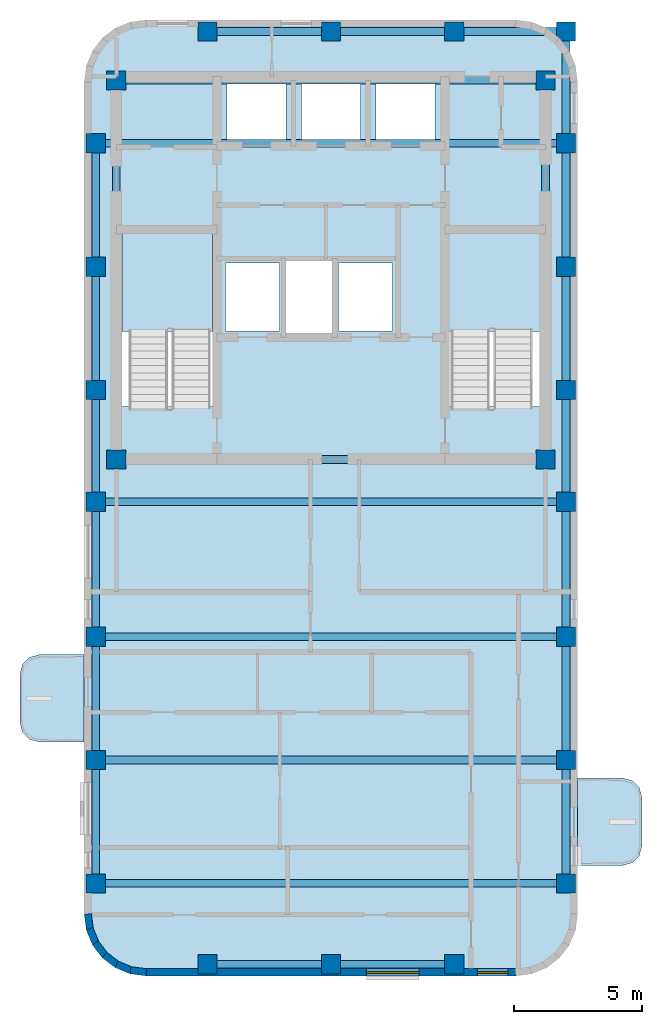
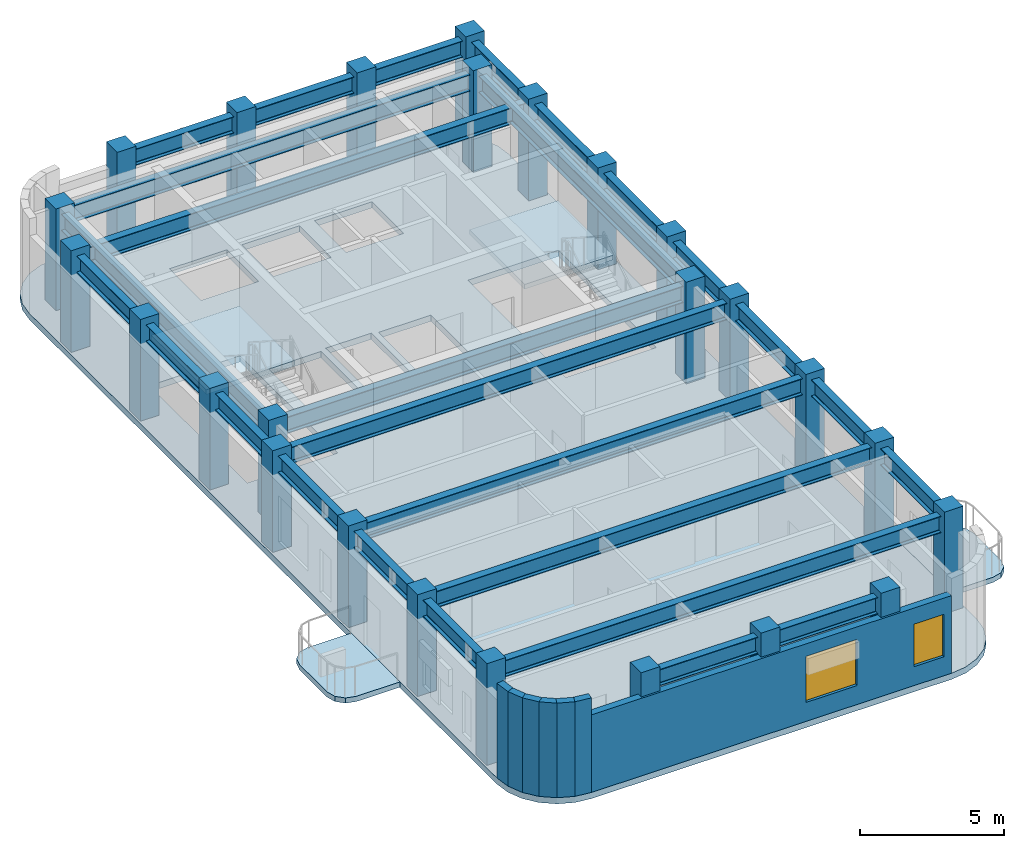
# One storey, part 1 of 5: 27 beams, 25 columns, 7 walls, 5 slabs, 2 windows, 2 openings, 2 elements without a shape of their own.
"""IFC4 building model written with IfcOpenShell, lengths in metres."""

import ifcopenshell
import ifcopenshell.guid

model = None  # the IFC model being written
_history = None  # IfcOwnerHistory: only IFC2X3 demands one
_inside = {}  # id of a spatial element -> (the spatial element, [elements in it])
_under = {}  # id of a project, library or spatial element -> (it, [spatial elements below it])
_declared = {}  # id of a project -> (the project, [libraries it declares])
_typed = {}  # id of a type object -> (the type object, [elements of that type])
_made_of = {}  # id of a material, layer set ... -> (it, [elements and type objects made of it])


def new_model(schema):
    """Start an empty IFC model of exactly this schema.

    Asked for "IFC4X3", IfcOpenShell would pick the latest addendum, in which some entities
    have other attributes; the version numbers below select the first issue.
    IFC2X3 requires an IfcOwnerHistory on every rooted entity: one is made here for all.
    """
    global model, _history
    if schema == "IFC4X3":
        model = ifcopenshell.file(schema_version=(4, 3, 0, 0))
    else:
        model = ifcopenshell.file(schema=schema)
    _inside.clear()
    _under.clear()
    _declared.clear()
    _typed.clear()
    _made_of.clear()
    _history = None
    if model.schema == "IFC2X3":
        org = make("IfcOrganization", Name="unknown")
        user = make(
            "IfcPersonAndOrganization",
            ThePerson=make("IfcPerson", FamilyName="unknown"),
            TheOrganization=org,
        )
        app = make(
            "IfcApplication",
            ApplicationDeveloper=org,
            Version="unknown",
            ApplicationFullName="unknown",
            ApplicationIdentifier="unknown",
        )
        _history = make(
            "IfcOwnerHistory",
            OwningUser=user,
            OwningApplication=app,
            ChangeAction="ADDED",
            CreationDate=0,
        )
    return model


def make(cls, **values):
    """One entity of the class cls with the attributes given. An attribute that is None is left unset."""
    return model.create_entity(
        cls, **{name: value for name, value in values.items() if value is not None}
    )


def rooted(cls, **values):
    """An entity with a GlobalId (a new one), such as an element, a storey or a relation."""
    return make(cls, GlobalId=ifcopenshell.guid.new(), OwnerHistory=_history, **values)


def si_unit(unit_type, name, prefix=None):
    """IfcSIUnit, for example si_unit("LENGTHUNIT", "METRE", prefix="MILLI")."""
    return make("IfcSIUnit", UnitType=unit_type, Prefix=prefix, Name=name)


def assignment(units):
    """IfcUnitAssignment: the units of a project."""
    return None if units is None else make("IfcUnitAssignment", Units=units)


def point(xyz):
    """IfcCartesianPoint."""
    return None if xyz is None else make("IfcCartesianPoint", Coordinates=xyz)


def direction(xyz):
    """IfcDirection."""
    return None if xyz is None else make("IfcDirection", DirectionRatios=xyz)


def frame(location, z_axis=None, x_axis=None):
    """IfcAxis2Placement3D, a coordinate frame: its origin and axes. An axis left out is left unset."""
    return make(
        "IfcAxis2Placement3D",
        Location=point(location),
        Axis=direction(z_axis),
        RefDirection=direction(x_axis),
    )


def frame_2d(location, x_axis=None):
    """IfcAxis2Placement2D, a coordinate frame in the plane: its origin and x axis."""
    return make(
        "IfcAxis2Placement2D", Location=point(location), RefDirection=direction(x_axis)
    )


def origin():
    """The frame at (0, 0, 0) with its axes left unset."""
    return frame((0.0, 0.0, 0.0))


def origin_2d():
    """The frame at (0, 0) in the plane with its x axis left unset."""
    return frame_2d((0.0, 0.0))


def place(relative_to, where):
    """IfcLocalPlacement: puts the frame where relative to a parent placement (None: the world)."""
    return make(
        "IfcLocalPlacement", PlacementRelTo=relative_to, RelativePlacement=where
    )


def context(
    kind, dimensions, precision=None, world=None, true_north=None, identifier=None
):
    """IfcGeometricRepresentationContext, for example the 3D "Model" context."""
    return make(
        "IfcGeometricRepresentationContext",
        ContextIdentifier=identifier,
        ContextType=kind,
        CoordinateSpaceDimension=dimensions,
        Precision=precision,
        WorldCoordinateSystem=world,
        TrueNorth=true_north,
    )


def subcontext(parent, identifier, kind, view, scale=None):
    """IfcGeometricRepresentationSubContext, for example "Body" below "Model"."""
    return make(
        "IfcGeometricRepresentationSubContext",
        ContextIdentifier=identifier,
        ContextType=kind,
        ParentContext=parent,
        TargetScale=scale,
        TargetView=view,
    )


def project(units=None, contexts=None):
    """IfcProject with its units and contexts."""
    return rooted(
        "IfcProject",
        Name="project",
        RepresentationContexts=contexts,
        UnitsInContext=assignment(units),
    )


def spatial(cls, under=None, at=None, **own):
    """A site, building, storey or space (cls), placed at a placement, below another one or the project."""
    s = rooted(cls, ObjectPlacement=at, **own)
    if under is not None:
        _under.setdefault(under.id(), (under, []))[1].append(s)
    return s


def polyline(points):
    """IfcPolyline through the points."""
    return make("IfcPolyline", Points=[point(p) for p in points])


def profile(cls, at=None, kind="AREA", **sizes):
    """A parametric profile (cls). Its sizes go by their IFC names, for example OverallWidth=200.0."""
    return make(cls, ProfileType=kind, Position=at, **sizes)


def rectangle(**sizes):
    """IfcRectangleProfileDef."""
    return profile("IfcRectangleProfileDef", **sizes)


def i_section(**sizes):
    """IfcIShapeProfileDef."""
    return profile("IfcIShapeProfileDef", **sizes)


def outline(outer, holes=None, kind="AREA"):
    """IfcArbitraryClosedProfileDef: a profile drawn as a closed curve; with holes, ...WithVoids."""
    if holes is None:
        return make("IfcArbitraryClosedProfileDef", ProfileType=kind, OuterCurve=outer)
    return make(
        "IfcArbitraryProfileDefWithVoids",
        ProfileType=kind,
        OuterCurve=outer,
        InnerCurves=holes,
    )


def extrude(swept, where, along, depth):
    """IfcExtrudedAreaSolid: the profile swept, set in the frame where, extruded along a direction by depth."""
    return make(
        "IfcExtrudedAreaSolid",
        SweptArea=swept,
        Position=where,
        ExtrudedDirection=direction(along),
        Depth=depth,
    )


def shape(context_of_items, identifier, shape_type, items):
    """IfcShapeRepresentation: the items that make up one representation, for example the "Body"."""
    return make(
        "IfcShapeRepresentation",
        ContextOfItems=context_of_items,
        RepresentationIdentifier=identifier,
        RepresentationType=shape_type,
        Items=items,
    )


def material(Name=None, Category=None):
    """IfcMaterial."""
    return make("IfcMaterial", Name=Name, Category=Category)


def layer(
    of_material, thickness, ventilated=None, Name=None, Category=None, Priority=None
):
    """IfcMaterialLayer: one layer of a wall or slab, of a material (None: an air gap)."""
    return make(
        "IfcMaterialLayer",
        Material=of_material,
        LayerThickness=thickness,
        IsVentilated=ventilated,
        Name=Name,
        Category=Category,
        Priority=Priority,
    )


def layer_set(layers, Name=None):
    """IfcMaterialLayerSet."""
    return make("IfcMaterialLayerSet", MaterialLayers=layers, LayerSetName=Name)


def material_profile(
    of_material, cross_section, Name=None, Category=None, Priority=None
):
    """IfcMaterialProfile: a cross section and its material."""
    return make(
        "IfcMaterialProfile",
        Name=Name,
        Material=of_material,
        Profile=cross_section,
        Priority=Priority,
        Category=Category,
    )


def profile_set(profiles, Name=None, composite=None):
    """IfcMaterialProfileSet."""
    return make(
        "IfcMaterialProfileSet",
        Name=Name,
        MaterialProfiles=profiles,
        CompositeProfile=composite,
    )


def made_of(thing, what):
    """Note that an element or type object is made of a material, layer set ...; save() writes the relation."""
    if what is not None:
        _made_of.setdefault(what.id(), (what, []))[1].append(thing)
    return thing


def type_object(cls, material=None, **own):
    """A type object (cls), such as IfcWallType, which elements share."""
    return made_of(rooted(cls, **own), material)


def element(
    cls,
    number,
    at=None,
    inside=None,
    cuts=None,
    type_object=None,
    material=None,
    context=None,
    identifier="Body",
    shape_type=None,
    held_by="IfcProductDefinitionShape",
    body=None,
    shapes=None,
    **own,
):
    """One element of the class cls, such as IfcWall. Its Tag is "e" and its number.

    at: its placement. inside: the storey or other place that contains it. cuts: it is an
    opening in that element (IfcRelVoidsElement). A single representation is given by context,
    identifier, shape_type and body (its items); several are given by shapes. held_by: the class
    of the entity that holds the representations. save() writes the other relations.
    """
    e = rooted(cls, Tag="e%d" % number, ObjectPlacement=at, **own)
    if body is not None:
        shapes = [shape(context, identifier, shape_type, body)]
    if shapes is not None:
        e.Representation = make(held_by, Representations=shapes)
    if inside is not None:
        _inside.setdefault(inside.id(), (inside, []))[1].append(e)
    if cuts is not None:
        rooted(
            "IfcRelVoidsElement", RelatingBuildingElement=cuts, RelatedOpeningElement=e
        )
    if type_object is not None:
        _typed.setdefault(type_object.id(), (type_object, []))[1].append(e)
    return made_of(e, material)


def fill(opening, filler):
    """IfcRelFillsElement: the door or window that sits in an opening."""
    return rooted(
        "IfcRelFillsElement",
        RelatingOpeningElement=opening,
        RelatedBuildingElement=filler,
    )


def aggregate(whole, parts):
    """IfcRelAggregates: a whole, such as a stair, and the parts it consists of."""
    return rooted("IfcRelAggregates", RelatingObject=whole, RelatedObjects=parts)


def save(model, path):
    """Write the relations noted so far, then the file.

    IfcRelAggregates (storeys below a building ...), IfcRelContainedInSpatialStructure (elements
    in a storey), IfcRelDefinesByType, IfcRelAssociatesMaterial and IfcRelDeclares: one each for
    every whole, place, type object, material and project.
    """
    for whole, parts in _under.values():
        aggregate(whole, parts)
    for where, things in _inside.values():
        rooted(
            "IfcRelContainedInSpatialStructure",
            RelatedElements=things,
            RelatingStructure=where,
        )
    for kind, things in _typed.values():
        rooted("IfcRelDefinesByType", RelatedObjects=things, RelatingType=kind)
    for what, things in _made_of.values():
        rooted("IfcRelAssociatesMaterial", RelatedObjects=things, RelatingMaterial=what)
    for by, libraries in _declared.values():
        rooted("IfcRelDeclares", RelatingContext=by, RelatedDefinitions=libraries)
    model.write(path)


model = new_model("IFC4")

# Units and contexts
model_context = context("Model", 3, precision=1e-05, world=origin(), true_north=direction((0.0, 1.0)))
body_context = subcontext(model_context, "Body", "Model", "MODEL_VIEW")
ifc_project = project(units=[si_unit("LENGTHUNIT", "METRE"), si_unit("AREAUNIT", "SQUARE_METRE"), si_unit("VOLUMEUNIT", "CUBIC_METRE"), si_unit("PLANEANGLEUNIT", "RADIAN"), si_unit("MASSUNIT", "GRAM", prefix="KILO")], contexts=[model_context])

# Site, building, storey
site_placement = place(None, origin())
site = spatial("IfcSite", under=ifc_project, at=site_placement, CompositionType="ELEMENT")
building_placement = place(site_placement, origin())
building = spatial("IfcBuilding", under=site, at=building_placement, Name="Orvandelia Arch Residences", CompositionType="ELEMENT")
storey_placement = place(building_placement, frame((0.0, 0.0, 287.10009765625)))
storey = spatial("IfcBuildingStorey", under=building, at=storey_placement, Name="L74", CompositionType="ELEMENT", Elevation=287.10009765625)

# Columns
ifc_material_1 = material(Name="Concrete C50/60", Category="concrete")
ifc_material_profile_1 = material_profile(ifc_material_1, rectangle(XDim=0.75, YDim=0.75, at=origin_2d()), Name="Concrete C50/60", Category="concrete")
ifc_profile_set_1 = profile_set([ifc_material_profile_1], Name="Concrete C50/60")
column_type = type_object("IfcColumnType", Name="COL-TWR-750", PredefinedType="COLUMN", material=ifc_profile_set_1)
for number, where, z_axis, x_axis, name in (
    (1, (5.25, 14.39990234375, 0.0), (0.0, 0.0, 1.0), (1.0, 0.0, 0.0), "Structural Column L74-W-W-144"),
    (2, (5.25, 19.199951171875, 0.0), (0.0, 0.0, 1.0), (1.0, 0.0, 0.0), "Structural Column L74-W-W-192"),
    (3, (5.25, 24.0, 0.0), (0.0, 0.0, 1.0), (1.0, 0.0, 0.0), "Structural Column L74-W-W-240"),
    (4, (5.25, 29.25, 0.0), (0.0, 0.0, 1.0), (1.0, 0.0, 0.0), "Structural Column L74-W-W-292"),
    (5, (5.25, 33.60009765625, 0.0), (0.0, 0.0, 1.0), (1.0, 0.0, 0.0), "Structural Column L74-W-W-336"),
    (6, (5.25, 38.39990234375, 0.0), (0.0, 0.0, 1.0), (1.0, 0.0, 0.0), "Structural Column L74-W-W-384"),
    (7, (5.25, 43.199951171875, 0.0), (0.0, 0.0, 1.0), (1.0, 0.0, 0.0), "Structural Column L74-W-W-432"),
    (8, (6.050048828125, 30.89990234375, 0.0), (0.0, 0.0, 1.0), (1.0, 0.0, 0.0), "Structural Column L74-CR-SW"),
    (9, (6.050048828125, 45.64990234375, 0.0), (0.0, 0.0, 1.0), (1.0, 0.0, 0.0), "Structural Column L74-CR-NW"),
    (10, (9.60009765625, 11.25, 0.0), (0.0, 0.0, 1.0), (1.0, 0.0, 0.0), "Structural Column L74-W-S-96"),
    (11, (9.60009765625, 47.550048828125, 0.0), (0.0, 0.0, 1.0), (1.0, 0.0, 0.0), "Structural Column L74-W-N-96"),
    (12, (14.39990234375, 11.25, 0.0), (0.0, 0.0, 1.0), (1.0, 0.0, 0.0), "Structural Column L74-W-S-144"),
    (13, (14.39990234375, 47.550048828125, 0.0), (0.0, 0.0, 1.0), (1.0, 0.0, 0.0), "Structural Column L74-W-N-144"),
    (14, (19.199951171875, 11.25, 0.0), (0.0, 0.0, 1.0), (1.0, 0.0, 0.0), "Structural Column L74-W-S-192"),
    (15, (19.199951171875, 47.550048828125, 0.0), (0.0, 0.0, 1.0), (1.0, 0.0, 0.0), "Structural Column L74-W-N-192"),
    (16, (22.75, 30.89990234375, 0.0), (0.0, 0.0, 1.0), (1.0, 0.0, 0.0), "Structural Column L74-CR-SE"),
    (17, (22.75, 45.64990234375, 0.0), (0.0, 0.0, 1.0), (1.0, 0.0, 0.0), "Structural Column L74-CR-NE"),
    (18, (23.550048828125, 14.39990234375, 0.0), (0.0, 0.0, 1.0), (1.0, 0.0, 0.0), "Structural Column L74-W-E-144"),
    (19, (23.550048828125, 19.199951171875, 0.0), (0.0, 0.0, 1.0), (1.0, 0.0, 0.0), "Structural Column L74-W-E-192"),
    (20, (23.550048828125, 24.0, 0.0), (0.0, 0.0, 1.0), (1.0, 0.0, 0.0), "Structural Column L74-W-E-240"),
    (21, (23.550048828125, 29.25, 0.0), (0.0, 0.0, 1.0), (1.0, 0.0, 0.0), "Structural Column L74-W-E-292"),
    (22, (23.550048828125, 33.60009765625, 0.0), (0.0, 0.0, 1.0), (1.0, 0.0, 0.0), "Structural Column L74-W-E-336"),
    (23, (23.550048828125, 38.39990234375, 0.0), (0.0, 0.0, 1.0), (1.0, 0.0, 0.0), "Structural Column L74-W-E-384"),
    (24, (23.550048828125, 43.199951171875, 0.0), (0.0, 0.0, 1.0), (1.0, 0.0, 0.0), "Structural Column L74-W-E-432"),
    (25, (23.550048828125, 47.550048828125, 0.0), (0.0, 0.0, 1.0), (1.0, 0.0, 0.0), "Structural Column L74-W-N-235"),
):
    element("IfcColumn", number, at=place(storey_placement, frame(where, z_axis=z_axis, x_axis=x_axis)), inside=storey, type_object=column_type, Name=name, PredefinedType="COLUMN", context=body_context, shape_type="SweptSolid", body=[
        extrude(rectangle(XDim=0.75, YDim=0.75, at=origin_2d()), origin(), (0.0, 0.0, 1.0), 4.2998046875),
    ])

# Beams
ifc_material_2 = material(Name="Structural Steel SM355 (355 MPa)", Category="steel")
ifc_material_profile_2 = material_profile(ifc_material_2, i_section(OverallWidth=0.300048828125, OverallDepth=0.699951171875, WebThickness=0.012939453125, FlangeThickness=0.02392578125, FilletRadius=0.02392578125, at=origin_2d()), Name="Structural Steel SM355 (355 MPa)", Category="steel")
ifc_profile_set_2 = profile_set([ifc_material_profile_2], Name="Structural Steel SM355 (355 MPa)")
beam_type = type_object("IfcBeamType", Name="BM-GRD-H700", PredefinedType="BEAM", material=ifc_profile_set_2)
for number, where, z_axis, x_axis, name in (
    (26, (5.25, 14.39990234375, 3.64990234375), (0.0, 1.0, 0.0), (-1.0, 0.0, 0.0), "Structural Frame Beam L74-NS-001"),
    (27, (5.25, 19.199951171875, 3.64990234375), (0.0, 1.0, 0.0), (-1.0, 0.0, 0.0), "Structural Frame Beam L74-NS-002"),
):
    element("IfcBeam", number, at=place(storey_placement, frame(where, z_axis=z_axis, x_axis=x_axis)), inside=storey, type_object=beam_type, Name=name, PredefinedType="BEAM", context=body_context, shape_type="SweptSolid", body=[
        extrude(i_section(OverallWidth=0.300048828125, OverallDepth=0.699951171875, WebThickness=0.012939453125, FlangeThickness=0.02392578125, FilletRadius=0.02392578125, at=origin_2d()), origin(), (0.0, 0.0, 1.0), 4.800048828125),
    ])
beam_1_placement = place(storey_placement, frame((5.25, 24.0, 3.64990234375), z_axis=(0.0, 1.0, 0.0), x_axis=(-1.0, 0.0, 0.0)))
element("IfcBeam", 28, at=beam_1_placement, inside=storey, type_object=beam_type, Name="Structural Frame Beam L74-NS-003", PredefinedType="BEAM", context=body_context, shape_type="SweptSolid", body=[
    extrude(i_section(OverallWidth=0.300048828125, OverallDepth=0.699951171875, WebThickness=0.012939453125, FlangeThickness=0.02392578125, FilletRadius=0.02392578125, at=origin_2d()), origin(), (0.0, 0.0, 1.0), 5.25),
])
beam_2_placement = place(storey_placement, frame((5.25, 29.25, 3.64990234375), z_axis=(0.0, 1.0, 0.0), x_axis=(-1.0, 0.0, 0.0)))
element("IfcBeam", 29, at=beam_2_placement, inside=storey, type_object=beam_type, Name="Structural Frame Beam L74-NS-004", PredefinedType="BEAM", context=body_context, shape_type="SweptSolid", body=[
    extrude(i_section(OverallWidth=0.300048828125, OverallDepth=0.699951171875, WebThickness=0.012939453125, FlangeThickness=0.02392578125, FilletRadius=0.02392578125, at=origin_2d()), origin(), (0.0, 0.0, 1.0), 4.35009765625),
])
beam_3_placement = place(storey_placement, frame((5.25, 33.60009765625, 3.64990234375), z_axis=(0.0, 1.0, 0.0), x_axis=(-1.0, 0.0, 0.0)))
element("IfcBeam", 30, at=beam_3_placement, inside=storey, type_object=beam_type, Name="Structural Frame Beam L74-NS-005", PredefinedType="BEAM", context=body_context, shape_type="SweptSolid", body=[
    extrude(i_section(OverallWidth=0.300048828125, OverallDepth=0.699951171875, WebThickness=0.012939453125, FlangeThickness=0.02392578125, FilletRadius=0.02392578125, at=origin_2d()), origin(), (0.0, 0.0, 1.0), 4.7998046875),
])
beam_4_placement = place(storey_placement, frame((5.25, 38.39990234375, 3.64990234375), z_axis=(0.0, 1.0, 0.0), x_axis=(-1.0, 0.0, 0.0)))
element("IfcBeam", 31, at=beam_4_placement, inside=storey, type_object=beam_type, Name="Structural Frame Beam L74-NS-006", PredefinedType="BEAM", context=body_context, shape_type="SweptSolid", body=[
    extrude(i_section(OverallWidth=0.300048828125, OverallDepth=0.699951171875, WebThickness=0.012939453125, FlangeThickness=0.02392578125, FilletRadius=0.02392578125, at=origin_2d()), origin(), (0.0, 0.0, 1.0), 4.800048828125),
])
for number, where, z_axis, x_axis, name in (
    (32, (6.050048828125, 30.89990234375, 3.64990234375), (0.0, 1.0, 0.0), (-1.0, 0.0, 0.0), "Structural Frame Beam L74-NS-007"),
    (33, (22.75, 30.89990234375, 3.64990234375), (0.0, 1.0, 0.0), (-1.0, 0.0, 0.0), "Structural Frame Beam L74-NS-008"),
):
    element("IfcBeam", number, at=place(storey_placement, frame(where, z_axis=z_axis, x_axis=x_axis)), inside=storey, type_object=beam_type, Name=name, PredefinedType="BEAM", context=body_context, shape_type="SweptSolid", body=[
        extrude(i_section(OverallWidth=0.300048828125, OverallDepth=0.699951171875, WebThickness=0.012939453125, FlangeThickness=0.02392578125, FilletRadius=0.02392578125, at=origin_2d()), origin(), (0.0, 0.0, 1.0), 14.75),
    ])
for number, where, z_axis, x_axis, name in (
    (34, (23.550048828125, 14.39990234375, 3.64990234375), (0.0, 1.0, 0.0), (-1.0, 0.0, 0.0), "Structural Frame Beam L74-NS-009"),
    (35, (23.550048828125, 19.199951171875, 3.64990234375), (0.0, 1.0, 0.0), (-1.0, 0.0, 0.0), "Structural Frame Beam L74-NS-010"),
):
    element("IfcBeam", number, at=place(storey_placement, frame(where, z_axis=z_axis, x_axis=x_axis)), inside=storey, type_object=beam_type, Name=name, PredefinedType="BEAM", context=body_context, shape_type="SweptSolid", body=[
        extrude(i_section(OverallWidth=0.300048828125, OverallDepth=0.699951171875, WebThickness=0.012939453125, FlangeThickness=0.02392578125, FilletRadius=0.02392578125, at=origin_2d()), origin(), (0.0, 0.0, 1.0), 4.800048828125),
    ])
beam_5_placement = place(storey_placement, frame((23.550048828125, 24.0, 3.64990234375), z_axis=(0.0, 1.0, 0.0), x_axis=(-1.0, 0.0, 0.0)))
element("IfcBeam", 36, at=beam_5_placement, inside=storey, type_object=beam_type, Name="Structural Frame Beam L74-NS-011", PredefinedType="BEAM", context=body_context, shape_type="SweptSolid", body=[
    extrude(i_section(OverallWidth=0.300048828125, OverallDepth=0.699951171875, WebThickness=0.012939453125, FlangeThickness=0.02392578125, FilletRadius=0.02392578125, at=origin_2d()), origin(), (0.0, 0.0, 1.0), 5.25),
])
beam_6_placement = place(storey_placement, frame((23.550048828125, 29.25, 3.64990234375), z_axis=(0.0, 1.0, 0.0), x_axis=(-1.0, 0.0, 0.0)))
element("IfcBeam", 37, at=beam_6_placement, inside=storey, type_object=beam_type, Name="Structural Frame Beam L74-NS-012", PredefinedType="BEAM", context=body_context, shape_type="SweptSolid", body=[
    extrude(i_section(OverallWidth=0.300048828125, OverallDepth=0.699951171875, WebThickness=0.012939453125, FlangeThickness=0.02392578125, FilletRadius=0.02392578125, at=origin_2d()), origin(), (0.0, 0.0, 1.0), 4.35009765625),
])
beam_7_placement = place(storey_placement, frame((23.550048828125, 33.60009765625, 3.64990234375), z_axis=(0.0, 1.0, 0.0), x_axis=(-1.0, 0.0, 0.0)))
element("IfcBeam", 38, at=beam_7_placement, inside=storey, type_object=beam_type, Name="Structural Frame Beam L74-NS-013", PredefinedType="BEAM", context=body_context, shape_type="SweptSolid", body=[
    extrude(i_section(OverallWidth=0.300048828125, OverallDepth=0.699951171875, WebThickness=0.012939453125, FlangeThickness=0.02392578125, FilletRadius=0.02392578125, at=origin_2d()), origin(), (0.0, 0.0, 1.0), 4.7998046875),
])
beam_8_placement = place(storey_placement, frame((23.550048828125, 38.39990234375, 3.64990234375), z_axis=(0.0, 1.0, 0.0), x_axis=(-1.0, 0.0, 0.0)))
element("IfcBeam", 39, at=beam_8_placement, inside=storey, type_object=beam_type, Name="Structural Frame Beam L74-NS-014", PredefinedType="BEAM", context=body_context, shape_type="SweptSolid", body=[
    extrude(i_section(OverallWidth=0.300048828125, OverallDepth=0.699951171875, WebThickness=0.012939453125, FlangeThickness=0.02392578125, FilletRadius=0.02392578125, at=origin_2d()), origin(), (0.0, 0.0, 1.0), 4.800048828125),
])
beam_9_placement = place(storey_placement, frame((23.550048828125, 43.199951171875, 3.64990234375), z_axis=(0.0, 1.0, 0.0), x_axis=(-1.0, 0.0, 0.0)))
element("IfcBeam", 40, at=beam_9_placement, inside=storey, type_object=beam_type, Name="Structural Frame Beam L74-NS-015", PredefinedType="BEAM", context=body_context, shape_type="SweptSolid", body=[
    extrude(i_section(OverallWidth=0.300048828125, OverallDepth=0.699951171875, WebThickness=0.012939453125, FlangeThickness=0.02392578125, FilletRadius=0.02392578125, at=origin_2d()), origin(), (0.0, 0.0, 1.0), 4.35009765625),
])
beam_10_placement = place(storey_placement, frame((9.60009765625, 11.25, 3.64990234375), z_axis=(1.0, 0.0, 0.0), x_axis=(0.0, 1.0, 0.0)))
element("IfcBeam", 41, at=beam_10_placement, inside=storey, type_object=beam_type, Name="Structural Frame Girder L74-EW-016", PredefinedType="BEAM", context=body_context, shape_type="SweptSolid", body=[
    extrude(i_section(OverallWidth=0.300048828125, OverallDepth=0.699951171875, WebThickness=0.012939453125, FlangeThickness=0.02392578125, FilletRadius=0.02392578125, at=origin_2d()), origin(), (0.0, 0.0, 1.0), 4.7998046875),
])
beam_11_placement = place(storey_placement, frame((14.39990234375, 11.25, 3.64990234375), z_axis=(1.0, 0.0, 0.0), x_axis=(0.0, 1.0, 0.0)))
element("IfcBeam", 42, at=beam_11_placement, inside=storey, type_object=beam_type, Name="Structural Frame Girder L74-EW-017", PredefinedType="BEAM", context=body_context, shape_type="SweptSolid", body=[
    extrude(i_section(OverallWidth=0.300048828125, OverallDepth=0.699951171875, WebThickness=0.012939453125, FlangeThickness=0.02392578125, FilletRadius=0.02392578125, at=origin_2d()), origin(), (0.0, 0.0, 1.0), 4.800048828125),
])
for number, where, z_axis, x_axis, name in (
    (43, (5.25, 14.39990234375, 3.64990234375), (1.0, 0.0, 0.0), (0.0, 1.0, 0.0), "Structural Frame Girder L74-EW-018"),
    (44, (5.25, 19.199951171875, 3.64990234375), (1.0, 0.0, 0.0), (0.0, 1.0, 0.0), "Structural Frame Girder L74-EW-019"),
    (45, (5.25, 24.0, 3.64990234375), (1.0, 0.0, 0.0), (0.0, 1.0, 0.0), "Structural Frame Girder L74-EW-020"),
    (46, (5.25, 29.25, 3.64990234375), (1.0, 0.0, 0.0), (0.0, 1.0, 0.0), "Structural Frame Girder L74-EW-021"),
):
    element("IfcBeam", number, at=place(storey_placement, frame(where, z_axis=z_axis, x_axis=x_axis)), inside=storey, type_object=beam_type, Name=name, PredefinedType="BEAM", context=body_context, shape_type="SweptSolid", body=[
        extrude(i_section(OverallWidth=0.300048828125, OverallDepth=0.699951171875, WebThickness=0.012939453125, FlangeThickness=0.02392578125, FilletRadius=0.02392578125, at=origin_2d()), origin(), (0.0, 0.0, 1.0), 18.300048828125),
    ])
beam_12_placement = place(storey_placement, frame((6.050048828125, 30.89990234375, 3.64990234375), z_axis=(1.0, 0.0, 0.0), x_axis=(0.0, 1.0, 0.0)))
element("IfcBeam", 47, at=beam_12_placement, inside=storey, type_object=beam_type, Name="Structural Frame Girder L74-EW-022", PredefinedType="BEAM", context=body_context, shape_type="SweptSolid", body=[
    extrude(i_section(OverallWidth=0.300048828125, OverallDepth=0.699951171875, WebThickness=0.012939453125, FlangeThickness=0.02392578125, FilletRadius=0.02392578125, at=origin_2d()), origin(), (0.0, 0.0, 1.0), 16.699951171875),
])
beam_13_placement = place(storey_placement, frame((5.25, 43.199951171875, 3.64990234375), z_axis=(1.0, 0.0, 0.0), x_axis=(0.0, 1.0, 0.0)))
element("IfcBeam", 48, at=beam_13_placement, inside=storey, type_object=beam_type, Name="Structural Frame Girder L74-EW-025", PredefinedType="BEAM", context=body_context, shape_type="SweptSolid", body=[
    extrude(i_section(OverallWidth=0.300048828125, OverallDepth=0.699951171875, WebThickness=0.012939453125, FlangeThickness=0.02392578125, FilletRadius=0.02392578125, at=origin_2d()), origin(), (0.0, 0.0, 1.0), 18.300048828125),
])
beam_14_placement = place(storey_placement, frame((6.050048828125, 45.64990234375, 3.64990234375), z_axis=(1.0, 0.0, 0.0), x_axis=(0.0, 1.0, 0.0)))
element("IfcBeam", 49, at=beam_14_placement, inside=storey, type_object=beam_type, Name="Structural Frame Girder L74-EW-026", PredefinedType="BEAM", context=body_context, shape_type="SweptSolid", body=[
    extrude(i_section(OverallWidth=0.300048828125, OverallDepth=0.699951171875, WebThickness=0.012939453125, FlangeThickness=0.02392578125, FilletRadius=0.02392578125, at=origin_2d()), origin(), (0.0, 0.0, 1.0), 16.699951171875),
])
beam_15_placement = place(storey_placement, frame((9.60009765625, 47.550048828125, 3.64990234375), z_axis=(1.0, 0.0, 0.0), x_axis=(0.0, 1.0, 0.0)))
element("IfcBeam", 50, at=beam_15_placement, inside=storey, type_object=beam_type, Name="Structural Frame Girder L74-EW-027", PredefinedType="BEAM", context=body_context, shape_type="SweptSolid", body=[
    extrude(i_section(OverallWidth=0.300048828125, OverallDepth=0.699951171875, WebThickness=0.012939453125, FlangeThickness=0.02392578125, FilletRadius=0.02392578125, at=origin_2d()), origin(), (0.0, 0.0, 1.0), 4.7998046875),
])
beam_16_placement = place(storey_placement, frame((14.39990234375, 47.550048828125, 3.64990234375), z_axis=(1.0, 0.0, 0.0), x_axis=(0.0, 1.0, 0.0)))
element("IfcBeam", 51, at=beam_16_placement, inside=storey, type_object=beam_type, Name="Structural Frame Girder L74-EW-028", PredefinedType="BEAM", context=body_context, shape_type="SweptSolid", body=[
    extrude(i_section(OverallWidth=0.300048828125, OverallDepth=0.699951171875, WebThickness=0.012939453125, FlangeThickness=0.02392578125, FilletRadius=0.02392578125, at=origin_2d()), origin(), (0.0, 0.0, 1.0), 4.800048828125),
])
beam_17_placement = place(storey_placement, frame((19.199951171875, 47.550048828125, 3.64990234375), z_axis=(1.0, 0.0, 0.0), x_axis=(0.0, 1.0, 0.0)))
element("IfcBeam", 52, at=beam_17_placement, inside=storey, type_object=beam_type, Name="Structural Frame Girder L74-EW-029", PredefinedType="BEAM", context=body_context, shape_type="SweptSolid", body=[
    extrude(i_section(OverallWidth=0.300048828125, OverallDepth=0.699951171875, WebThickness=0.012939453125, FlangeThickness=0.02392578125, FilletRadius=0.02392578125, at=origin_2d()), origin(), (0.0, 0.0, 1.0), 4.35009765625),
])

# Slabs
ifc_material_3 = material(Name="Precast concrete C40/50", Category="concrete")
ifc_layer_1 = layer(ifc_material_3, 0.219970703125, Name="Precast concrete C40/50", Category="concrete")
ifc_layer_set_1 = layer_set([ifc_layer_1], Name="Precast concrete C40/50")
slab_type_1 = type_object("IfcSlabType", Name="SLB-BAL-220", PredefinedType="USERDEFINED", material=ifc_layer_set_1)
slab_1_placement = place(storey_placement, frame((0.0, 0.0, -0.22021484375)))
element("IfcSlab", 53, at=slab_1_placement, inside=storey, type_object=slab_type_1, Name="Tree Balcony Cantilever Slab BAL-L74-W1", ObjectType="BALCONY", PredefinedType="USERDEFINED", context=body_context, shape_type="SweptSolid", body=[
    extrude(outline(polyline([(4.800048828125, 19.89990234375), (4.800048828125, 23.300048828125), (3.050048828125, 23.300048828125), (2.675048828125, 23.199462890625), (2.400390625, 22.925048828125), (2.300048828125, 22.550048828125), (2.300048828125, 20.64990234375), (2.400390625, 20.27490234375), (2.675048828125, 20.00048828125), (3.050048828125, 19.89990234375), (4.800048828125, 19.89990234375)])), origin(), (0.0, 0.0, 1.0), 0.22021484375),
])
slab_2_placement = place(storey_placement, frame((0.0, 0.0, -0.22021484375)))
element("IfcSlab", 54, at=slab_2_placement, inside=storey, type_object=slab_type_1, Name="Tree Balcony Cantilever Slab BAL-L74-W2", ObjectType="BALCONY", PredefinedType="USERDEFINED", context=body_context, shape_type="SweptSolid", body=[
    extrude(outline(polyline([(24.0, 18.5), (24.0, 15.10009765625), (25.75, 15.10009765625), (26.125, 15.200439453125), (26.3994140625, 15.47509765625), (26.5, 15.85009765625), (26.5, 17.75), (26.3994140625, 18.125), (26.125, 18.3994140625), (25.75, 18.5), (24.0, 18.5)])), origin(), (0.0, 0.0, 1.0), 0.22021484375),
])

# Stair, slab
ifc_material_4 = material(Name="Concrete C40/50", Category="concrete")
stair_type = type_object("IfcStairType", Name="STAIR-RC-DOGLEG", PredefinedType="HALF_TURN_STAIR", material=ifc_material_4)
stair_1_placement = place(storey_placement, origin())
stair_1 = element("IfcStair", 55, at=stair_1_placement, inside=storey, type_object=stair_type, Name="L74 Protected Exit Stair ST-1", PredefinedType="HALF_TURN_STAIR")
ifc_layer_2 = layer(ifc_material_4, 0.219970703125, Name="Concrete C40/50", Category="concrete")
ifc_layer_set_2 = layer_set([ifc_layer_2], Name="Concrete C40/50")
slab_type_2 = type_object("IfcSlabType", Name="SLB-LANDING-220", PredefinedType="LANDING", material=ifc_layer_set_2)
slab_3_placement = place(storey_placement, frame((0.0, 0.0, 1.949951171875)))
slab_3 = element("IfcSlab", 56, at=slab_3_placement, type_object=slab_type_2, Name="ST-1 landing 1", PredefinedType="LANDING", context=body_context, shape_type="SweptSolid", body=[
    extrude(outline(polyline([(9.800048828125, 35.8701171875), (9.800048828125, 39.68994140625), (6.260009765625, 39.68994140625), (6.260009765625, 35.8701171875), (9.800048828125, 35.8701171875)])), origin(), (0.0, 0.0, 1.0), 0.199951171875),
])
aggregate(stair_1, [slab_3])

stair_2_placement = place(storey_placement, origin())
stair_2 = element("IfcStair", 57, at=stair_2_placement, inside=storey, type_object=stair_type, Name="L74 Protected Exit Stair ST-2", PredefinedType="HALF_TURN_STAIR")
slab_4_placement = place(storey_placement, frame((0.0, 0.0, 1.949951171875)))
slab_4 = element("IfcSlab", 58, at=slab_4_placement, type_object=slab_type_2, Name="ST-2 landing 1", PredefinedType="LANDING", context=body_context, shape_type="SweptSolid", body=[
    extrude(outline(polyline([(22.5400390625, 35.8701171875), (22.5400390625, 39.68994140625), (19.0, 39.68994140625), (19.0, 35.8701171875), (22.5400390625, 35.8701171875)])), origin(), (0.0, 0.0, 1.0), 0.199951171875),
])
aggregate(stair_2, [slab_4])

# Slab
ifc_layer_3 = layer(ifc_material_4, 0.260009765625, Name="Concrete C40/50", Category="concrete")
ifc_layer_set_3 = layer_set([ifc_layer_3], Name="Concrete C40/50")
slab_type_3 = type_object("IfcSlabType", Name="SLB-TWR-260", PredefinedType="FLOOR", material=ifc_layer_set_3)
slab_5_placement = place(storey_placement, frame((0.0, 0.0, -0.260009765625)))
element("IfcSlab", 59, at=slab_5_placement, inside=storey, type_object=slab_type_3, Name="Structural Floor Slab L74-1", PredefinedType="FLOOR", context=body_context, shape_type="SweptSolid", body=[
    extrude(outline(polyline([(4.800048828125, 13.199951171875), (4.8818359375, 12.578857421875), (5.12158203125, 12.0), (5.5029296875, 11.5029296875), (6.0, 11.12158203125), (6.578857421875, 10.8818359375), (7.199951171875, 10.800048828125), (21.60009765625, 10.800048828125), (22.22119140625, 10.8818359375), (22.800048828125, 11.12158203125), (23.297119140625, 11.5029296875), (23.678466796875, 12.0), (23.918212890625, 12.578857421875), (24.0, 13.199951171875), (24.0, 45.60009765625), (23.918212890625, 46.22119140625), (23.678466796875, 46.800048828125), (23.297119140625, 47.297119140625), (22.800048828125, 47.678466796875), (22.22119140625, 47.918212890625), (21.60009765625, 48.0), (7.199951171875, 48.0), (6.578857421875, 47.918212890625), (6.0, 47.678466796875), (5.5029296875, 47.297119140625), (5.12158203125, 46.800048828125), (4.8818359375, 46.22119140625), (4.800048828125, 45.60009765625), (4.800048828125, 13.199951171875)]), holes=[polyline([(6.219970703125, 32.949951171875), (9.840087890625, 32.949951171875), (9.840087890625, 39.72998046875), (6.219970703125, 39.72998046875), (6.219970703125, 32.949951171875)]), polyline([(18.9599609375, 32.949951171875), (22.580078125, 32.949951171875), (22.580078125, 39.72998046875), (18.9599609375, 39.72998046875), (18.9599609375, 32.949951171875)]), polyline([(12.639892578125, 35.81005859375), (14.4599609375, 35.81005859375), (14.4599609375, 38.639892578125), (12.639892578125, 38.639892578125), (12.639892578125, 35.81005859375)]), polyline([(10.300048828125, 35.89990234375), (12.39990234375, 35.89990234375), (12.39990234375, 38.550048828125), (10.300048828125, 38.550048828125), (10.300048828125, 35.89990234375)]), polyline([(14.699951171875, 35.89990234375), (16.800048828125, 35.89990234375), (16.800048828125, 38.550048828125), (14.699951171875, 38.550048828125), (14.699951171875, 35.89990234375)]), polyline([(10.35009765625, 43.300048828125), (12.64990234375, 43.300048828125), (12.64990234375, 45.5), (10.35009765625, 45.5), (10.35009765625, 43.300048828125)]), polyline([(13.25, 43.300048828125), (15.550048828125, 43.300048828125), (15.550048828125, 45.5), (13.25, 45.5), (13.25, 43.300048828125)]), polyline([(16.14990234375, 43.300048828125), (18.449951171875, 43.300048828125), (18.449951171875, 45.5), (16.14990234375, 45.5), (16.14990234375, 43.300048828125)])]), origin(), (0.0, 0.0, 1.0), 0.260009765625),
])

# Wall, openings, windows
ifc_layer_4 = layer(ifc_material_3, 0.280029296875, Name="Precast concrete C40/50", Category="concrete")
ifc_layer_set_4 = layer_set([ifc_layer_4], Name="Precast concrete C40/50")
wall_type = type_object("IfcWallType", Name="WL-EXT-STONE-280", PredefinedType="STANDARD", material=ifc_layer_set_4)
wall_1_placement = place(storey_placement, frame((21.60009765625, 10.93994140625, 0.0), z_axis=(0.0, 0.0, 1.0), x_axis=(-1.0, 0.0, 0.0)))
wall_1 = element("IfcWall", 60, at=wall_1_placement, inside=storey, type_object=wall_type, Name="Coral-Limestone Precast Facade Wall L74-021", PredefinedType="STANDARD", context=body_context, shape_type="SweptSolid", body=[
    extrude(rectangle(XDim=14.400146484375, YDim=0.280029296875, at=frame_2d((7.2001953125, 0.0))), origin(), (0.0, 0.0, 1.0), 3.27978515625),
])
opening_1_placement = place(wall_1_placement, frame((3.77490234375, 0.0, 0.800048828125)))
opening_1 = element("IfcOpeningElement", 61, at=opening_1_placement, cuts=wall_1, Name="Opening W8", PredefinedType="OPENING", context=body_context, shape_type="SweptSolid", body=[
    extrude(rectangle(XDim=2.050048828125, YDim=1.949951171875, at=frame_2d((1.02490234375, 0.97509765625))), frame((0.0, 0.14990234375, 0.0), z_axis=(0.0, -1.0, 0.0), x_axis=(1.0, 0.0, 0.0)), (0.0, 0.0, 1.0), 0.300048828125),
])
opening_2_placement = place(wall_1_placement, frame((0.304931640625, 0.0, 0.800048828125)))
opening_2 = element("IfcOpeningElement", 62, at=opening_2_placement, cuts=wall_1, Name="Opening W3", PredefinedType="OPENING", context=body_context, shape_type="SweptSolid", body=[
    extrude(rectangle(XDim=1.199951171875, YDim=1.800048828125, at=frame_2d((0.60009765625, 0.89990234375))), frame((0.0, 0.14990234375, 0.0), z_axis=(0.0, -1.0, 0.0), x_axis=(1.0, 0.0, 0.0)), (0.0, 0.0, 1.0), 0.300048828125),
])
ifc_material_5 = material(Name="Tempered Low-E Insulated Glazing", Category="glass")
window_type_1 = type_object("IfcWindowType", Name="WIN-RES-1200x1800", PartitioningType="SINGLE_PANEL", PredefinedType="WINDOW", material=ifc_material_5)
window_1_placement = place(opening_2_placement, origin())
window_1 = element("IfcWindow", 63, at=window_1_placement, inside=storey, type_object=window_type_1, Name="Recessed Punched Window L74-007", OverallHeight=1.800048828125, OverallWidth=1.199951171875, PartitioningType="SINGLE_PANEL", PredefinedType="WINDOW", context=body_context, shape_type="SweptSolid", body=[
    extrude(rectangle(XDim=1.199951171875, YDim=1.800048828125, at=frame_2d((0.60009765625, 0.89990234375))), frame((0.0, 0.030029296875, 0.0), z_axis=(0.0, -1.0, 0.0), x_axis=(1.0, 0.0, 0.0)), (0.0, 0.0, 1.0), 0.06005859375),
])
fill(opening_2, window_1)
window_type_2 = type_object("IfcWindowType", Name="WIN-UPP-2050x1950", PartitioningType="SINGLE_PANEL", PredefinedType="WINDOW", material=ifc_material_5)
window_2_placement = place(opening_1_placement, origin())
window_2 = element("IfcWindow", 64, at=window_2_placement, inside=storey, type_object=window_type_2, Name="Recessed Punched Window L74-006", OverallHeight=1.949951171875, OverallWidth=2.050048828125, PartitioningType="SINGLE_PANEL", PredefinedType="WINDOW", context=body_context, shape_type="SweptSolid", body=[
    extrude(rectangle(XDim=2.050048828125, YDim=1.949951171875, at=frame_2d((1.02490234375, 0.97509765625))), frame((0.0, 0.030029296875, 0.0), z_axis=(0.0, -1.0, 0.0), x_axis=(1.0, 0.0, 0.0)), (0.0, 0.0, 1.0), 0.06005859375),
])
fill(opening_1, window_2)

# Walls
wall_2_placement = place(storey_placement, frame((7.21826171875, 10.938720703125, 0.0), z_axis=(0.0, 0.0, 1.0), x_axis=(-0.9914410257, 0.130555323746, 0.0)))
element("IfcWall", 65, at=wall_2_placement, inside=storey, type_object=wall_type, Name="Coral-Limestone Precast Facade Wall L74-022", PredefinedType="STANDARD", context=body_context, shape_type="SweptSolid", body=[
    extrude(rectangle(XDim=0.62646484375, YDim=0.280029296875, at=frame_2d((0.313232421875, 0.0))), origin(), (0.0, 0.0, 1.0), 4.0),
])
wall_3_placement = place(storey_placement, frame((6.63232421875, 11.010986328125, 0.0), z_axis=(0.0, 0.0, 1.0), x_axis=(-0.923836271867, 0.382787856107, 0.0)))
element("IfcWall", 66, at=wall_3_placement, inside=storey, type_object=wall_type, Name="Coral-Limestone Precast Facade Wall L74-023", PredefinedType="STANDARD", context=body_context, shape_type="SweptSolid", body=[
    extrude(rectangle(XDim=0.626220703125, YDim=0.280029296875, at=frame_2d((0.31298828125, 0.0))), origin(), (0.0, 0.0, 1.0), 4.0),
])
for number, where, z_axis, x_axis, name in (
    (67, (6.085205078125, 11.232666015625, 0.0), (0.0, 0.0, 1.0), (-0.793405610854, 0.608693302629, 0.0), "Coral-Limestone Precast Facade Wall L74-024"),
    (68, (5.614013671875, 11.588134765625, 0.0), (0.0, 0.0, 1.0), (-0.608693302629, 0.793405610854, 0.0), "Coral-Limestone Precast Facade Wall L74-025"),
):
    element("IfcWall", number, at=place(storey_placement, frame(where, z_axis=z_axis, x_axis=x_axis)), inside=storey, type_object=wall_type, Name=name, PredefinedType="STANDARD", context=body_context, shape_type="SweptSolid", body=[
        extrude(rectangle(XDim=0.62646484375, YDim=0.280029296875, at=frame_2d((0.313232421875, 0.0))), origin(), (0.0, 0.0, 1.0), 4.0),
    ])
wall_4_placement = place(storey_placement, frame((5.250732421875, 12.0537109375, 0.0), z_axis=(0.0, 0.0, 1.0), x_axis=(-0.382787856107, 0.923836271867, 0.0)))
element("IfcWall", 69, at=wall_4_placement, inside=storey, type_object=wall_type, Name="Coral-Limestone Precast Facade Wall L74-026", PredefinedType="STANDARD", context=body_context, shape_type="SweptSolid", body=[
    extrude(rectangle(XDim=0.626220703125, YDim=0.280029296875, at=frame_2d((0.31298828125, 0.0))), origin(), (0.0, 0.0, 1.0), 4.0),
])
wall_5_placement = place(storey_placement, frame((5.0205078125, 12.59716796875, 0.0), z_axis=(0.0, 0.0, 1.0), x_axis=(-0.130555323746, 0.9914410257, 0.0)))
element("IfcWall", 70, at=wall_5_placement, inside=storey, type_object=wall_type, Name="Coral-Limestone Precast Facade Wall L74-027", PredefinedType="STANDARD", context=body_context, shape_type="SweptSolid", body=[
    extrude(rectangle(XDim=0.62646484375, YDim=0.280029296875, at=frame_2d((0.313232421875, 0.0))), origin(), (0.0, 0.0, 1.0), 4.0),
])

save(model, "model.ifc")
